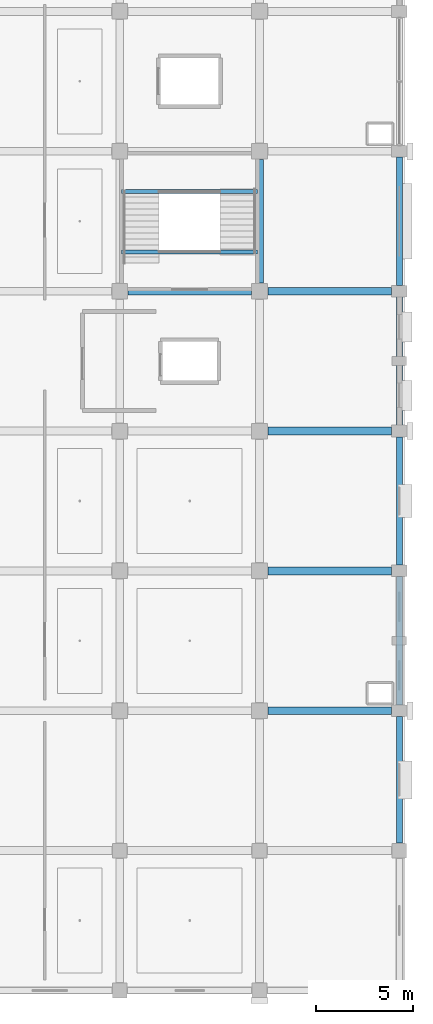
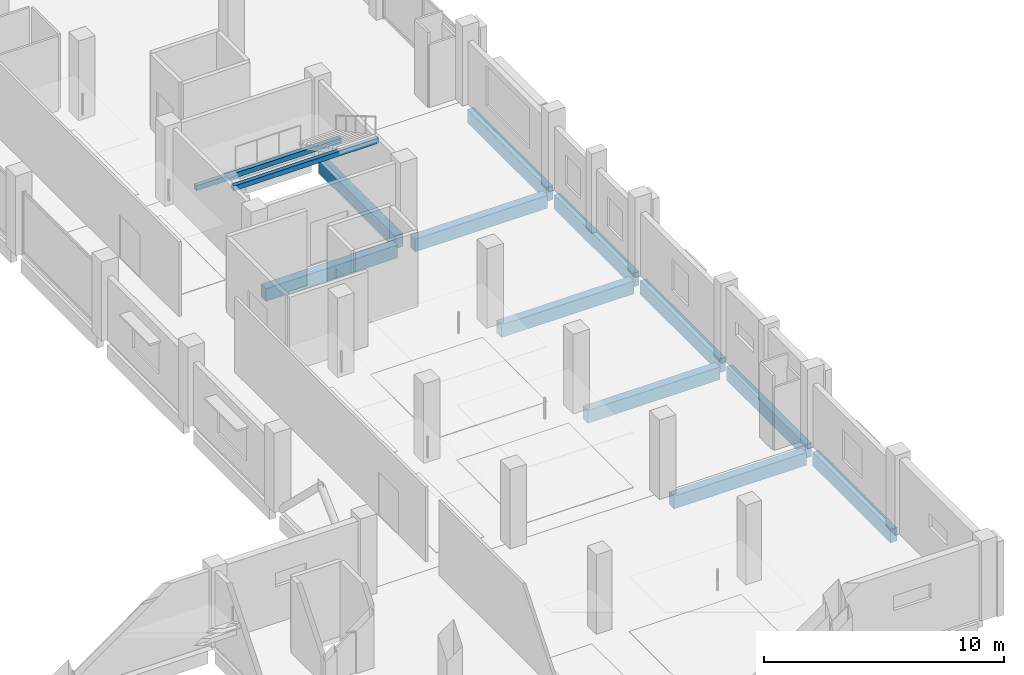
# One storey, part 57 of 107: 13 beams.
"""IFC4 building model written with IfcOpenShell, lengths in metres."""

from ifc_helpers import new_model, si_unit, direction, frame, origin, origin_2d, place, context, subcontext, project, spatial, rectangle, extrude, material, material_profile, profile_set, type_object, element, save


model = new_model("IFC4")

# Units and contexts
model_context = context("Model", 3, precision=1e-05, world=origin(), true_north=direction((0.0, 1.0)))
body_context = subcontext(model_context, "Body", "Model", "MODEL_VIEW")
ifc_project = project(units=[si_unit("LENGTHUNIT", "METRE"), si_unit("AREAUNIT", "SQUARE_METRE"), si_unit("VOLUMEUNIT", "CUBIC_METRE"), si_unit("PLANEANGLEUNIT", "RADIAN"), si_unit("MASSUNIT", "GRAM", prefix="KILO")], contexts=[model_context])

# Site, building, storey
site_placement = place(None, origin())
site = spatial("IfcSite", under=ifc_project, at=site_placement, CompositionType="ELEMENT")
building_placement = place(site_placement, origin())
building = spatial("IfcBuilding", under=site, at=building_placement, Name="Kangsadwip Square Police Headquarters", CompositionType="ELEMENT")
storey_placement = place(building_placement, frame((0.0, 0.0, 5.39990234375)))
storey = spatial("IfcBuildingStorey", under=building, at=storey_placement, Name="L01", CompositionType="ELEMENT", Elevation=5.39990234375)

# Beams
ifc_material_1 = material(Name="Concrete M35 (35 MPa)", Category="concrete")
ifc_material_profile_1 = material_profile(ifc_material_1, rectangle(XDim=0.39990234375, YDim=0.64990234375, at=origin_2d()), Name="RC BM 650X400")
ifc_profile_set_1 = profile_set([ifc_material_profile_1], Name="Concrete M35 (35 MPa)")
beam_type_1 = type_object("IfcBeamType", Name="RcBeam650x400", PredefinedType="BEAM", material=ifc_profile_set_1)
for number, where, z_axis, x_axis, name in (
    (1, (158.824951171875, 36.0, -0.56494140625), (1.0, 0.0, 0.0), (0.0, 1.0, 0.0), "Beam BM-L01-X-22-05"),
    (2, (158.824951171875, 43.199951171875, -0.56494140625), (1.0, 0.0, 0.0), (0.0, 1.0, 0.0), "Beam BM-L01-X-22-06"),
    (3, (158.824951171875, 50.39990234375, -0.56494140625), (1.0, 0.0, 0.0), (0.0, 1.0, 0.0), "Beam BM-L01-X-22-07"),
):
    element("IfcBeam", number, at=place(storey_placement, frame(where, z_axis=z_axis, x_axis=x_axis)), inside=storey, type_object=beam_type_1, Name=name, PredefinedType="BEAM", context=body_context, shape_type="SweptSolid", body=[
        extrude(rectangle(XDim=0.39990234375, YDim=0.64990234375, at=origin_2d()), origin(), (0.0, 0.0, 1.0), 6.375),
    ])
beam_1_placement = place(storey_placement, frame((151.625, 57.60009765625, -0.56494140625), z_axis=(1.0, 0.0, 0.0), x_axis=(0.0, 1.0, 0.0)))
element("IfcBeam", 4, at=beam_1_placement, inside=storey, type_object=beam_type_1, Name="Beam BM-L01-X-21-08", PredefinedType="BEAM", context=body_context, shape_type="SweptSolid", body=[
    extrude(rectangle(XDim=0.39990234375, YDim=0.64990234375, at=origin_2d()), origin(), (0.0, 0.0, 1.0), 6.35009765625),
])
beam_2_placement = place(storey_placement, frame((158.824951171875, 57.60009765625, -0.56494140625), z_axis=(1.0, 0.0, 0.0), x_axis=(0.0, 1.0, 0.0)))
element("IfcBeam", 5, at=beam_2_placement, inside=storey, type_object=beam_type_1, Name="Beam BM-L01-X-22-08", PredefinedType="BEAM", context=body_context, shape_type="SweptSolid", body=[
    extrude(rectangle(XDim=0.39990234375, YDim=0.64990234375, at=origin_2d()), origin(), (0.0, 0.0, 1.0), 6.375),
])
beam_3_placement = place(storey_placement, frame((158.39990234375, 58.02490234375, -0.56494140625), z_axis=(0.0, 1.0, 0.0), x_axis=(-1.0, 0.0, 0.0)))
element("IfcBeam", 6, at=beam_3_placement, inside=storey, type_object=beam_type_1, Name="Beam BM-L01-Y-22-08", PredefinedType="BEAM", context=body_context, shape_type="SweptSolid", body=[
    extrude(rectangle(XDim=0.39990234375, YDim=0.64990234375, at=origin_2d()), origin(), (0.0, 0.0, 1.0), 6.35009765625),
])
ifc_material_2 = material(Name="Concrete M30 (30 MPa)", Category="concrete")
ifc_material_profile_2 = material_profile(ifc_material_2, rectangle(XDim=0.199951171875, YDim=0.25, at=origin_2d()), Name="RC LNT 250X200")
ifc_profile_set_2 = profile_set([ifc_material_profile_2], Name="Concrete M30 (30 MPa)")
beam_type_2 = type_object("IfcBeamType", Name="RcLintel250x200", PredefinedType="LINTEL", material=ifc_profile_set_2)
for number, where, z_axis, x_axis, name in (
    (7, (151.300048828125, 62.739990234375, 1.801025390625), (1.0, 0.0, 0.0), (0.0, 1.0, 0.0), "Stair Carriage and Landing Beam BM-ST-L01-044"),
    (8, (151.300048828125, 59.6201171875, 3.68505859375), (1.0, 0.0, 0.0), (0.0, 1.0, 0.0), "Stair Carriage and Landing Beam BM-ST-L01-045"),
):
    element("IfcBeam", number, at=place(storey_placement, frame(where, z_axis=z_axis, x_axis=x_axis)), inside=storey, type_object=beam_type_2, Name=name, PredefinedType="BEAM", context=body_context, shape_type="SweptSolid", body=[
        extrude(rectangle(XDim=0.199951171875, YDim=0.25, at=origin_2d()), origin(), (0.0, 0.0, 1.0), 7.0),
    ])
ifc_material_3 = material(Name="Concrete M40 (40 MPa)", Category="concrete")
ifc_material_profile_3 = material_profile(ifc_material_3, rectangle(XDim=0.300048828125, YDim=0.699951171875, at=origin_2d()), Name="RC SPN 700X300")
ifc_profile_set_3 = profile_set([ifc_material_profile_3], Name="Concrete M40 (40 MPa)")
beam_type_3 = type_object("IfcBeamType", Name="RcSpandrel700x300", PredefinedType="SPANDREL", material=ifc_profile_set_3)
beam_4_placement = place(storey_placement, frame((165.60009765625, 29.199951171875, -0.58984375), z_axis=(0.0, 1.0, 0.0), x_axis=(-1.0, 0.0, 0.0)))
element("IfcBeam", 9, at=beam_4_placement, inside=storey, type_object=beam_type_3, Name="Beam BM-L01-Y-23-04", PredefinedType="SPANDREL", context=body_context, shape_type="SweptSolid", body=[
    extrude(rectangle(XDim=0.300048828125, YDim=0.699951171875, at=origin_2d()), origin(), (0.0, 0.0, 1.0), 6.5),
])
beam_5_placement = place(storey_placement, frame((165.60009765625, 36.300048828125, -0.58984375), z_axis=(0.0, 1.0, 0.0), x_axis=(-1.0, 0.0, 0.0)))
element("IfcBeam", 10, at=beam_5_placement, inside=storey, type_object=beam_type_3, Name="Beam BM-L01-Y-23-05", PredefinedType="SPANDREL", context=body_context, shape_type="SweptSolid", body=[
    extrude(rectangle(XDim=0.300048828125, YDim=0.699951171875, at=origin_2d()), origin(), (0.0, 0.0, 1.0), 6.599853515625),
])
for number, where, z_axis, x_axis, name in (
    (11, (165.60009765625, 43.5, -0.58984375), (0.0, 1.0, 0.0), (-1.0, 0.0, 0.0), "Beam BM-L01-Y-23-06"),
    (12, (165.60009765625, 50.699951171875, -0.58984375), (0.0, 1.0, 0.0), (-1.0, 0.0, 0.0), "Beam BM-L01-Y-23-07"),
    (13, (165.60009765625, 57.89990234375, -0.58984375), (0.0, 1.0, 0.0), (-1.0, 0.0, 0.0), "Beam BM-L01-Y-23-08"),
):
    element("IfcBeam", number, at=place(storey_placement, frame(where, z_axis=z_axis, x_axis=x_axis)), inside=storey, type_object=beam_type_3, Name=name, PredefinedType="SPANDREL", context=body_context, shape_type="SweptSolid", body=[
        extrude(rectangle(XDim=0.300048828125, YDim=0.699951171875, at=origin_2d()), origin(), (0.0, 0.0, 1.0), 6.60009765625),
    ])

save(model, "model.ifc")
